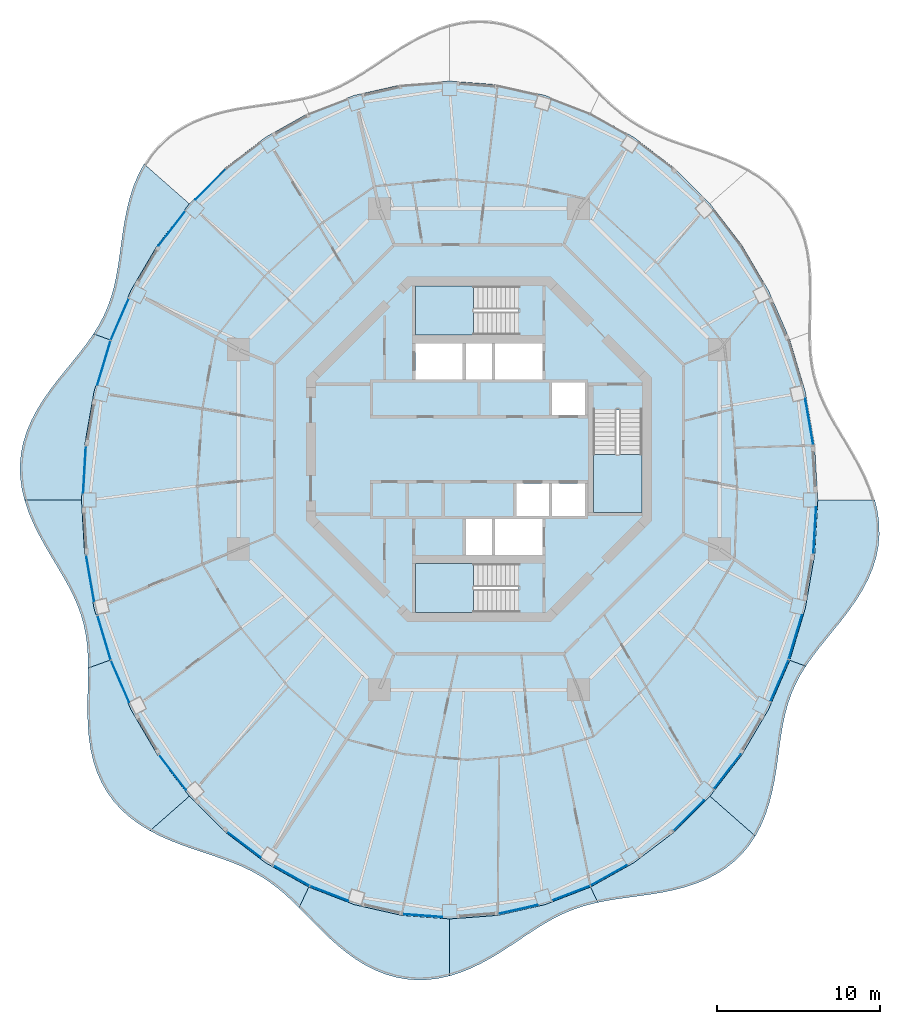
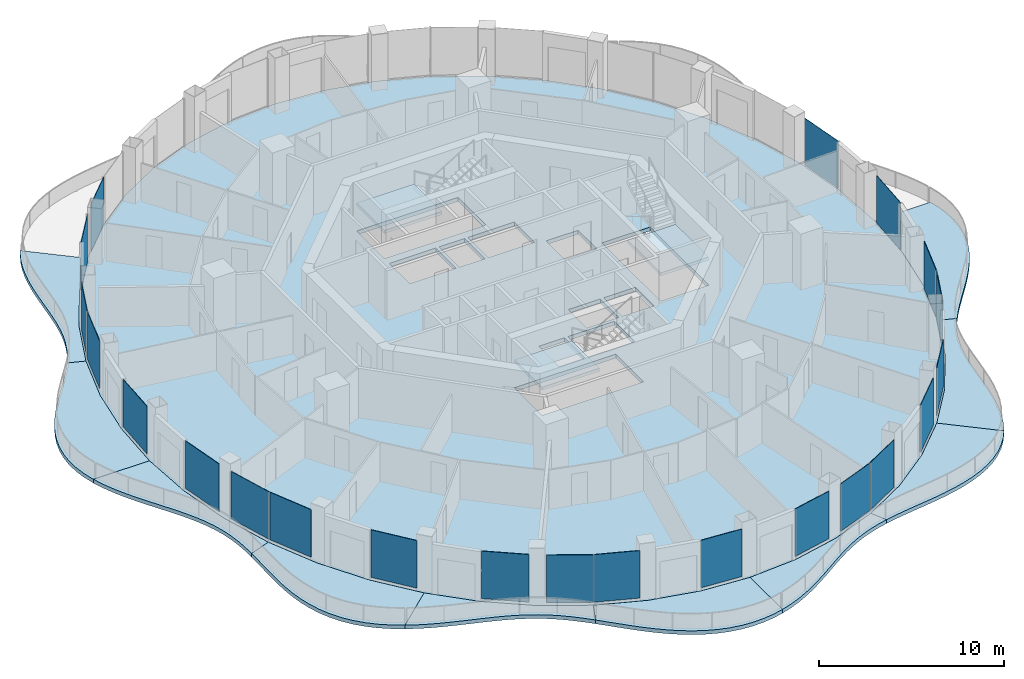
# One storey, part 8 of 17: 22 plates, 14 slabs, 25 elements without a shape of their own.
"""IFC4 building model written with IfcOpenShell, lengths in metres."""

from ifc_helpers import new_model, si_unit, direction, frame, origin, origin_2d, place, context, subcontext, project, spatial, polyline, rectangle, outline, extrude, material, layer, layer_set, type_object, element, aggregate, save


model = new_model("IFC4")

# Units and contexts
model_context = context("Model", 3, precision=1e-05, world=origin(), true_north=direction((0.0, 1.0)))
body_context = subcontext(model_context, "Body", "Model", "MODEL_VIEW")
ifc_project = project(units=[si_unit("LENGTHUNIT", "METRE"), si_unit("AREAUNIT", "SQUARE_METRE"), si_unit("VOLUMEUNIT", "CUBIC_METRE"), si_unit("PLANEANGLEUNIT", "RADIAN"), si_unit("MASSUNIT", "GRAM", prefix="KILO")], contexts=[model_context])

# Site, building, storey
site_placement = place(None, origin())
site = spatial("IfcSite", under=ifc_project, at=site_placement, CompositionType="ELEMENT")
building_placement = place(site_placement, origin())
building = spatial("IfcBuilding", under=site, at=building_placement, Name="Nagisa Residences", CompositionType="ELEMENT")
storey_placement = place(building_placement, frame((0.0, 0.0, 295.5)))
storey = spatial("IfcBuildingStorey", under=building, at=storey_placement, Name="L75", CompositionType="ELEMENT", Elevation=295.5)

# Slabs
ifc_material_1 = material(Name="Concrete C40/50", Category="concrete")
ifc_layer_1 = layer(ifc_material_1, 0.25)
ifc_layer_set_1 = layer_set([ifc_layer_1], Name="BALCONY SLAB 250")
slab_type_1 = type_object("IfcSlabType", Name="BALCONY SLAB 250", PredefinedType="FLOOR", material=ifc_layer_set_1)
slab_1_placement = place(storey_placement, frame((0.0, 0.0, -0.25)))
element("IfcSlab", 1, at=slab_1_placement, inside=storey, type_object=slab_type_1, Name="slab:L75:bal06", PredefinedType="FLOOR", context=body_context, shape_type="SweptSolid", body=[
    extrude(outline(polyline([(-20.5791015625, 17.530029296875), (-20.916015625, 16.898681640625), (-21.1962890625, 16.232421875), (-21.424560546875, 15.5400390625), (-21.607421875, 14.82958984375), (-21.7529296875, 14.110107421875), (-21.870849609375, 13.389404296875), (-21.971923828125, 12.675048828125), (-22.066650390625, 11.973388671875), (-22.166015625, 11.288818359375), (-22.28076171875, 10.625244140625), (-22.419677734375, 9.984619140625), (-22.5908203125, 9.3671875), (-22.800048828125, 8.77197265625), (-23.05126953125, 8.196533203125), (-23.345458984375, 7.637451171875), (-23.681884765625, 7.090576171875), (-22.6982421875, 6.732666015625), (-21.389404296875, 9.752197265625), (-19.74560546875, 12.5517578125), (-17.794677734375, 15.083251953125), (-20.5791015625, 17.530029296875)])), origin(), (0.0, 0.0, 1.0), 0.25),
])
slab_2_placement = place(storey_placement, frame((0.0, 0.0, -0.25)))
element("IfcSlab", 2, at=slab_2_placement, inside=storey, type_object=slab_type_1, Name="slab:L75:bal07", PredefinedType="FLOOR", context=body_context, shape_type="SweptSolid", body=[
    extrude(outline(polyline([(-23.681884765625, 7.090576171875), (-24.0693359375, 6.533935546875), (-24.491455078125, 5.979248046875), (-24.939208984375, 5.42138671875), (-25.402099609375, 4.85498046875), (-25.867919921875, 4.27587890625), (-26.322998046875, 3.680419921875), (-26.75439453125, 3.06640625), (-27.1484375, 2.4326171875), (-27.493408203125, 1.779296875), (-27.778076171875, 1.10791015625), (-27.994140625, 0.420654296875), (-28.135009765625, -0.279052734375), (-28.197265625, -0.987060546875), (-28.179931640625, -1.69921875), (-28.08544921875, -2.410888671875), (-27.9189453125, -3.11767578125), (-24.419921875, -3.11767578125), (-24.2265625, 0.241943359375), (-23.649169921875, 3.544189453125), (-22.6982421875, 6.732666015625), (-23.681884765625, 7.090576171875)])), origin(), (0.0, 0.0, 1.0), 0.25),
])
slab_3_placement = place(storey_placement, frame((0.0, 0.0, -0.25)))
element("IfcSlab", 3, at=slab_3_placement, inside=storey, type_object=slab_type_1, Name="slab:L75:bal08", PredefinedType="FLOOR", context=body_context, shape_type="SweptSolid", body=[
    extrude(outline(polyline([(-27.9189453125, -3.11767578125), (-27.688232421875, -3.816162109375), (-27.40283203125, -4.5029296875), (-27.07470703125, -5.17578125), (-26.716552734375, -5.834228515625), (-26.342529296875, -6.477783203125), (-25.966064453125, -7.108154296875), (-25.599853515625, -7.727294921875), (-25.25634765625, -8.338623046875), (-24.9453125, -8.9462890625), (-24.6748046875, -9.55419921875), (-24.4501953125, -10.16748046875), (-24.27392578125, -10.79052734375), (-24.145751953125, -11.427001953125), (-24.06298828125, -12.080078125), (-24.01904296875, -12.752197265625), (-24.00634765625, -13.444091796875), (-22.6982421875, -12.968017578125), (-23.649169921875, -9.77978515625), (-24.2265625, -6.4775390625), (-24.419921875, -3.11767578125), (-27.9189453125, -3.11767578125)])), origin(), (0.0, 0.0, 1.0), 0.25),
])
slab_4_placement = place(storey_placement, frame((0.0, 0.0, -0.25)))
element("IfcSlab", 4, at=slab_4_placement, inside=storey, type_object=slab_type_1, Name="slab:L75:bal09", PredefinedType="FLOOR", context=body_context, shape_type="SweptSolid", body=[
    extrude(outline(polyline([(-24.00634765625, -13.444091796875), (-24.01416015625, -14.133056640625), (-24.031005859375, -14.83837890625), (-24.045654296875, -15.556640625), (-24.046142578125, -16.28369140625), (-24.021240234375, -17.013916015625), (-23.9599609375, -17.7412109375), (-23.852783203125, -18.45849609375), (-23.691650390625, -19.158447265625), (-23.470947265625, -19.833984375), (-23.186279296875, -20.478515625), (-22.83642578125, -21.085693359375), (-22.422119140625, -21.650634765625), (-21.9462890625, -22.169677734375), (-21.4140625, -22.640869140625), (-20.83251953125, -23.064208984375), (-20.210205078125, -23.441162109375), (-17.794677734375, -21.318603515625), (-19.74560546875, -18.787109375), (-21.389404296875, -15.98779296875), (-22.6982421875, -12.968017578125), (-24.00634765625, -13.444091796875)])), origin(), (0.0, 0.0, 1.0), 0.25),
])
slab_5_placement = place(storey_placement, frame((0.0, 0.0, -0.25)))
element("IfcSlab", 5, at=slab_5_placement, inside=storey, type_object=slab_type_1, Name="slab:L75:bal10", PredefinedType="FLOOR", context=body_context, shape_type="SweptSolid", body=[
    extrude(outline(polyline([(-20.210205078125, -23.441162109375), (-19.58740234375, -23.760498046875), (-18.9443359375, -24.045166015625), (-18.290283203125, -24.30078125), (-17.633056640625, -24.534423828125), (-16.980712890625, -24.753662109375), (-16.340087890625, -24.966552734375), (-15.716552734375, -25.18115234375), (-15.114501953125, -25.4052734375), (-14.5361328125, -25.646728515625), (-13.982666015625, -25.91162109375), (-13.45361328125, -26.205078125), (-12.9462890625, -26.531005859375), (-12.45751953125, -26.890625), (-11.982421875, -27.2841796875), (-11.515869140625, -27.70947265625), (-11.052001953125, -28.162109375), (-10.456298828125, -26.8984375), (-13.110107421875, -25.4091796875), (-15.570068359375, -23.53857421875), (-17.794677734375, -21.318603515625), (-20.210205078125, -23.441162109375)])), origin(), (0.0, 0.0, 1.0), 0.25),
])
slab_6_placement = place(storey_placement, frame((0.0, 0.0, -0.25)))
element("IfcSlab", 6, at=slab_6_placement, inside=storey, type_object=slab_type_1, Name="slab:L75:bal11", PredefinedType="FLOOR", context=body_context, shape_type="SweptSolid", body=[
    extrude(outline(polyline([(-11.052001953125, -28.162109375), (-10.6015625, -28.618896484375), (-10.142333984375, -29.0888671875), (-9.669921875, -29.56396484375), (-9.179931640625, -30.035400390625), (-8.669189453125, -30.4931640625), (-8.135009765625, -30.927734375), (-7.576904296875, -31.3291015625), (-6.994384765625, -31.6884765625), (-6.38916015625, -31.9970703125), (-5.763427734375, -32.248291015625), (-5.1201171875, -32.43603515625), (-4.4638671875, -32.556396484375), (-3.798583984375, -32.60791015625), (-3.1298828125, -32.590087890625), (-2.4619140625, -32.505126953125), (-1.800048828125, -32.356689453125), (-1.800048828125, -28.857666015625), (-4.75244140625, -28.637451171875), (-7.654541015625, -27.980712890625), (-10.456298828125, -26.8984375), (-11.052001953125, -28.162109375)])), origin(), (0.0, 0.0, 1.0), 0.25),
])
slab_7_placement = place(storey_placement, frame((0.0, 0.0, -0.25)))
element("IfcSlab", 7, at=slab_7_placement, inside=storey, type_object=slab_type_1, Name="slab:L75:bal12", PredefinedType="FLOOR", context=body_context, shape_type="SweptSolid", body=[
    extrude(outline(polyline([(-1.800048828125, -32.356689453125), (-1.14794921875, -32.15087890625), (-0.50927734375, -31.89453125), (0.11328125, -31.59619140625), (0.718017578125, -31.265380859375), (1.304931640625, -30.912109375), (1.874267578125, -30.546142578125), (2.427978515625, -30.177734375), (2.96826171875, -29.816162109375), (3.499267578125, -29.469482421875), (4.024658203125, -29.144775390625), (4.548828125, -28.847412109375), (5.076416015625, -28.58154296875), (5.612060546875, -28.348876953125), (6.159423828125, -28.149658203125), (6.7216796875, -27.98193359375), (7.30126953125, -27.842529296875), (6.856201171875, -26.8984375), (4.054443359375, -27.980712890625), (1.152587890625, -28.637451171875), (-1.800048828125, -28.857666015625), (-1.800048828125, -32.356689453125)])), origin(), (0.0, 0.0, 1.0), 0.25),
])
slab_8_placement = place(storey_placement, frame((0.0, 0.0, -0.25)))
element("IfcSlab", 8, at=slab_8_placement, inside=storey, type_object=slab_type_1, Name="slab:L75:bal13", PredefinedType="FLOOR", context=body_context, shape_type="SweptSolid", body=[
    extrude(outline(polyline([(7.30126953125, -27.842529296875), (7.92236328125, -27.72216796875), (8.563720703125, -27.6201171875), (9.2236328125, -27.52783203125), (9.8994140625, -27.4365234375), (10.586669921875, -27.337158203125), (11.27978515625, -27.22021484375), (11.972412109375, -27.077392578125), (12.656982421875, -26.900146484375), (13.32568359375, -26.68212890625), (13.970703125, -26.41796875), (14.58447265625, -26.103515625), (15.159912109375, -25.73681640625), (15.691162109375, -25.317626953125), (16.17333984375, -24.84716796875), (16.603271484375, -24.328369140625), (16.979248046875, -23.765625), (14.19482421875, -21.318603515625), (11.97021484375, -23.53857421875), (9.510009765625, -25.4091796875), (6.856201171875, -26.8984375), (7.30126953125, -27.842529296875)])), origin(), (0.0, 0.0, 1.0), 0.25),
])
slab_9_placement = place(storey_placement, frame((0.0, 0.0, -0.25)))
element("IfcSlab", 9, at=slab_9_placement, inside=storey, type_object=slab_type_1, Name="slab:L75:bal14", PredefinedType="FLOOR", context=body_context, shape_type="SweptSolid", body=[
    extrude(outline(polyline([(16.979248046875, -23.765625), (17.31591796875, -23.134033203125), (17.59619140625, -22.4677734375), (17.824462890625, -21.775390625), (18.00732421875, -21.06494140625), (18.153076171875, -20.345458984375), (18.27099609375, -19.625), (18.371826171875, -18.91064453125), (18.466552734375, -18.208740234375), (18.566162109375, -17.524169921875), (18.6806640625, -16.86083984375), (18.81982421875, -16.219970703125), (18.990966796875, -15.6025390625), (19.2001953125, -15.00732421875), (19.451171875, -14.431884765625), (19.745361328125, -13.872802734375), (20.081787109375, -13.325927734375), (19.09814453125, -12.968017578125), (17.78955078125, -15.98779296875), (16.145751953125, -18.787109375), (14.19482421875, -21.318603515625), (16.979248046875, -23.765625)])), origin(), (0.0, 0.0, 1.0), 0.25),
])
slab_10_placement = place(storey_placement, frame((0.0, 0.0, -0.25)))
element("IfcSlab", 10, at=slab_10_placement, inside=storey, type_object=slab_type_1, Name="slab:L75:bal15", PredefinedType="FLOOR", context=body_context, shape_type="SweptSolid", body=[
    extrude(outline(polyline([(20.081787109375, -13.325927734375), (20.46923828125, -12.769287109375), (20.891357421875, -12.214599609375), (21.33935546875, -11.65673828125), (21.80224609375, -11.09033203125), (22.267822265625, -10.51123046875), (22.722900390625, -9.915771484375), (23.154296875, -9.3017578125), (23.548583984375, -8.66796875), (23.893310546875, -8.0146484375), (24.17822265625, -7.34326171875), (24.39404296875, -6.656005859375), (24.534912109375, -5.956298828125), (24.59716796875, -5.248291015625), (24.579833984375, -4.5361328125), (24.485595703125, -3.824462890625), (24.319091796875, -3.11767578125), (20.820068359375, -3.11767578125), (20.62646484375, -6.4775390625), (20.04931640625, -9.77978515625), (19.09814453125, -12.968017578125), (20.081787109375, -13.325927734375)])), origin(), (0.0, 0.0, 1.0), 0.25),
])

# Curtain wall, plate
ifc_material_2 = material(Name="Concrete-coloured aluminium curtain wall system", Category="concrete")
ifc_layer_2 = layer(ifc_material_2, 0.159912109375)
ifc_layer_set_2 = layer_set([ifc_layer_2], Name="CW1 CURTAIN WALL")
curtain_wall_type = type_object("IfcCurtainWallType", Name="CW1 CURTAIN WALL", PredefinedType="NOTDEFINED", material=ifc_layer_set_2)
curtain_wall_1_placement = place(storey_placement, origin())
curtain_wall_1 = element("IfcCurtainWall", 11, at=curtain_wall_1_placement, inside=storey, type_object=curtain_wall_type, Name="cw:CW1:L75:01", PredefinedType="NOTDEFINED")
ifc_material_3 = material(Name="Clear laminated glass", Category="glass")
ifc_layer_3 = layer(ifc_material_3, 0.028076171875)
ifc_layer_set_3 = layer_set([ifc_layer_3], Name="CW1 GLASS PANEL")
plate_type = type_object("IfcPlateType", Name="CW1 GLASS PANEL", PredefinedType="CURTAIN_PANEL", material=ifc_layer_set_3)
plate_1_placement = place(storey_placement, frame((20.292724609375, 1.687255859375, 0.150146484375), z_axis=(0.0, 0.0, 1.0), x_axis=(-0.172190868898, 0.985063604377, 0.0)))
plate_1 = element("IfcPlate", 12, at=plate_1_placement, type_object=plate_type, Name="CW1 panel", PredefinedType="CURTAIN_PANEL", context=body_context, shape_type="SweptSolid", body=[
    extrude(rectangle(XDim=2.84228515625, YDim=0.028076171875, at=origin_2d()), origin(), (0.0, 0.0, 1.0), 3.1298828125),
])
aggregate(curtain_wall_1, [plate_1])

curtain_wall_2_placement = place(storey_placement, origin())
curtain_wall_2 = element("IfcCurtainWall", 13, at=curtain_wall_2_placement, inside=storey, type_object=curtain_wall_type, Name="cw:CW1:L75:17", PredefinedType="NOTDEFINED")
plate_2_placement = place(storey_placement, frame((-16.488037109375, 16.2744140625, 0.150146484375), z_axis=(0.0, 0.0, 1.0), x_axis=(-0.707835924016, -0.706376885714, 0.0)))
plate_2 = element("IfcPlate", 14, at=plate_2_placement, type_object=plate_type, Name="CW1 panel", PredefinedType="CURTAIN_PANEL", context=body_context, shape_type="SweptSolid", body=[
    extrude(rectangle(XDim=2.6328125, YDim=0.028076171875, at=origin_2d()), origin(), (0.0, 0.0, 1.0), 3.1298828125),
])
aggregate(curtain_wall_2, [plate_2])

curtain_wall_3_placement = place(storey_placement, origin())
curtain_wall_3 = element("IfcCurtainWall", 15, at=curtain_wall_3_placement, inside=storey, type_object=curtain_wall_type, Name="cw:CW1:L75:18", PredefinedType="NOTDEFINED")
plate_3_placement = place(storey_placement, frame((-18.862548828125, 13.566650390625, 0.150146484375), z_axis=(0.0, 0.0, 1.0), x_axis=(-0.610429828235, -0.792070340816, 0.0)))
plate_3 = element("IfcPlate", 16, at=plate_3_placement, type_object=plate_type, Name="CW1 panel", PredefinedType="CURTAIN_PANEL", context=body_context, shape_type="SweptSolid", body=[
    extrude(rectangle(XDim=2.68603515625, YDim=0.028076171875, at=origin_2d()), origin(), (0.0, 0.0, 1.0), 3.1298828125),
])
aggregate(curtain_wall_3, [plate_3])

curtain_wall_4_placement = place(storey_placement, origin())
curtain_wall_4 = element("IfcCurtainWall", 17, at=curtain_wall_4_placement, inside=storey, type_object=curtain_wall_type, Name="cw:CW1:L75:20", PredefinedType="NOTDEFINED")
plate_4_placement = place(storey_placement, frame((-22.07177734375, 7.9765625, 0.150146484375), z_axis=(0.0, 0.0, 1.0), x_axis=(-0.397635934147, -0.917543276295, 0.0)))
plate_4 = element("IfcPlate", 18, at=plate_4_placement, type_object=plate_type, Name="CW1 panel", PredefinedType="CURTAIN_PANEL", context=body_context, shape_type="SweptSolid", body=[
    extrude(rectangle(XDim=2.781005859375, YDim=0.028076171875, at=origin_2d()), origin(), (0.0, 0.0, 1.0), 3.1298828125),
])
aggregate(curtain_wall_4, [plate_4])

curtain_wall_5_placement = place(storey_placement, origin())
curtain_wall_5 = element("IfcCurtainWall", 19, at=curtain_wall_5_placement, inside=storey, type_object=curtain_wall_type, Name="cw:CW1:L75:21", PredefinedType="NOTDEFINED")
plate_5_placement = place(storey_placement, frame((-23.041259765625, 5.302490234375, 0.150146484375), z_axis=(0.0, 0.0, 1.0), x_axis=(-0.285860274038, -0.958271310082, 0.0)))
plate_5 = element("IfcPlate", 20, at=plate_5_placement, type_object=plate_type, Name="CW1 panel", PredefinedType="CURTAIN_PANEL", context=body_context, shape_type="SweptSolid", body=[
    extrude(rectangle(XDim=2.817138671875, YDim=0.028076171875, at=origin_2d()), origin(), (0.0, 0.0, 1.0), 3.1298828125),
])
aggregate(curtain_wall_5, [plate_5])

curtain_wall_6_placement = place(storey_placement, origin())
curtain_wall_6 = element("IfcCurtainWall", 21, at=curtain_wall_6_placement, inside=storey, type_object=curtain_wall_type, Name="cw:CW1:L75:23", PredefinedType="NOTDEFINED")
plate_6_placement = place(storey_placement, frame((-24.232177734375, -1.247802734375, 0.150146484375), z_axis=(0.0, 0.0, 1.0), x_axis=(-0.057503492216, -0.998345305184, 0.0)))
plate_6 = element("IfcPlate", 22, at=plate_6_placement, type_object=plate_type, Name="CW1 panel", PredefinedType="CURTAIN_PANEL", context=body_context, shape_type="SweptSolid", body=[
    extrude(rectangle(XDim=2.855224609375, YDim=0.028076171875, at=origin_2d()), origin(), (0.0, 0.0, 1.0), 3.1298828125),
])
aggregate(curtain_wall_6, [plate_6])

curtain_wall_7_placement = place(storey_placement, origin())
curtain_wall_7 = element("IfcCurtainWall", 23, at=curtain_wall_7_placement, inside=storey, type_object=curtain_wall_type, Name="cw:CW1:L75:25", PredefinedType="NOTDEFINED")
plate_7_placement = place(storey_placement, frame((-23.892578125, -7.922607421875, 0.150146484375), z_axis=(0.0, 0.0, 1.0), x_axis=(0.172190868898, -0.985063604377, 0.0)))
plate_7 = element("IfcPlate", 24, at=plate_7_placement, type_object=plate_type, Name="CW1 panel", PredefinedType="CURTAIN_PANEL", context=body_context, shape_type="SweptSolid", body=[
    extrude(rectangle(XDim=2.84228515625, YDim=0.028076171875, at=origin_2d()), origin(), (0.0, 0.0, 1.0), 3.1298828125),
])
aggregate(curtain_wall_7, [plate_7])

curtain_wall_8_placement = place(storey_placement, origin())
curtain_wall_8 = element("IfcCurtainWall", 25, at=curtain_wall_8_placement, inside=storey, type_object=curtain_wall_type, Name="cw:CW1:L75:26", PredefinedType="NOTDEFINED")
plate_8_placement = place(storey_placement, frame((-23.024169921875, -11.59521484375, 0.150146484375), z_axis=(0.0, 0.0, 1.0), x_axis=(0.285860274038, -0.958271310082, 0.0)))
plate_8 = element("IfcPlate", 26, at=plate_8_placement, type_object=plate_type, Name="CW1 panel", PredefinedType="CURTAIN_PANEL", context=body_context, shape_type="SweptSolid", body=[
    extrude(rectangle(XDim=2.817138671875, YDim=0.028076171875, at=origin_2d()), origin(), (0.0, 0.0, 1.0), 3.1298828125),
])
aggregate(curtain_wall_8, [plate_8])

curtain_wall_9_placement = place(storey_placement, origin())
curtain_wall_9 = element("IfcCurtainWall", 27, at=curtain_wall_9_placement, inside=storey, type_object=curtain_wall_type, Name="cw:CW1:L75:27", PredefinedType="NOTDEFINED")
plate_9_placement = place(storey_placement, frame((-22.0478515625, -14.26708984375, 0.150146484375), z_axis=(0.0, 0.0, 1.0), x_axis=(0.397635934147, -0.917543276295, 0.0)))
plate_9 = element("IfcPlate", 28, at=plate_9_placement, type_object=plate_type, Name="CW1 panel", PredefinedType="CURTAIN_PANEL", context=body_context, shape_type="SweptSolid", body=[
    extrude(rectangle(XDim=2.781005859375, YDim=0.028076171875, at=origin_2d()), origin(), (0.0, 0.0, 1.0), 3.1298828125),
])
aggregate(curtain_wall_9, [plate_9])

curtain_wall_10_placement = place(storey_placement, origin())
curtain_wall_10 = element("IfcCurtainWall", 29, at=curtain_wall_10_placement, inside=storey, type_object=curtain_wall_type, Name="cw:CW1:L75:29", PredefinedType="NOTDEFINED")
plate_10_placement = place(storey_placement, frame((-18.825927734375, -19.849609375, 0.150146484375), z_axis=(0.0, 0.0, 1.0), x_axis=(0.610429828235, -0.792070340816, 0.0)))
plate_10 = element("IfcPlate", 30, at=plate_10_placement, type_object=plate_type, Name="CW1 panel", PredefinedType="CURTAIN_PANEL", context=body_context, shape_type="SweptSolid", body=[
    extrude(rectangle(XDim=2.68603515625, YDim=0.028076171875, at=origin_2d()), origin(), (0.0, 0.0, 1.0), 3.1298828125),
])
aggregate(curtain_wall_10, [plate_10])

curtain_wall_11_placement = place(storey_placement, origin())
curtain_wall_11 = element("IfcCurtainWall", 31, at=curtain_wall_11_placement, inside=storey, type_object=curtain_wall_type, Name="cw:CW1:L75:31", PredefinedType="NOTDEFINED")
plate_11_placement = place(storey_placement, frame((-14.44677734375, -24.292236328125, 0.150146484375), z_axis=(0.0, 0.0, 1.0), x_axis=(0.79603132756, -0.605255421737, 0.0)))
plate_11 = element("IfcPlate", 32, at=plate_11_placement, type_object=plate_type, Name="CW1 panel", PredefinedType="CURTAIN_PANEL", context=body_context, shape_type="SweptSolid", body=[
    extrude(rectangle(XDim=2.58056640625, YDim=0.028076171875, at=origin_2d()), origin(), (0.0, 0.0, 1.0), 3.1298828125),
])
aggregate(curtain_wall_11, [plate_11])

curtain_wall_12_placement = place(storey_placement, origin())
curtain_wall_12 = element("IfcCurtainWall", 33, at=curtain_wall_12_placement, inside=storey, type_object=curtain_wall_type, Name="cw:CW1:L75:32", PredefinedType="NOTDEFINED")
plate_12_placement = place(storey_placement, frame((-11.521728515625, -26.208740234375, 0.150146484375), z_axis=(0.0, 0.0, 1.0), x_axis=(0.872072377523, -0.489376918501, 0.0)))
plate_12 = element("IfcPlate", 34, at=plate_12_placement, type_object=plate_type, Name="CW1 panel", PredefinedType="CURTAIN_PANEL", context=body_context, shape_type="SweptSolid", body=[
    extrude(rectangle(XDim=2.532958984375, YDim=0.028076171875, at=origin_2d()), origin(), (0.0, 0.0, 1.0), 3.1298828125),
])
aggregate(curtain_wall_12, [plate_12])

curtain_wall_13_placement = place(storey_placement, origin())
curtain_wall_13 = element("IfcCurtainWall", 35, at=curtain_wall_13_placement, inside=storey, type_object=curtain_wall_type, Name="cw:CW1:L75:33", PredefinedType="NOTDEFINED")
plate_13_placement = place(storey_placement, frame((-9.20849609375, -27.294677734375, 0.150146484375), z_axis=(0.0, 0.0, 1.0), x_axis=(0.932825759707, -0.360327770268, 0.0)))
plate_13 = element("IfcPlate", 36, at=plate_13_placement, type_object=plate_type, Name="CW1 panel", PredefinedType="CURTAIN_PANEL", context=body_context, shape_type="SweptSolid", body=[
    extrude(rectangle(XDim=2.49365234375, YDim=0.028076171875, at=origin_2d()), origin(), (0.0, 0.0, 1.0), 3.1298828125),
])
aggregate(curtain_wall_13, [plate_13])

curtain_wall_14_placement = place(storey_placement, origin())
curtain_wall_14 = element("IfcCurtainWall", 37, at=curtain_wall_14_placement, inside=storey, type_object=curtain_wall_type, Name="cw:CW1:L75:35", PredefinedType="NOTDEFINED")
plate_14_placement = place(storey_placement, frame((-3.46484375, -28.6533203125, 0.150146484375), z_axis=(0.0, 0.0, 1.0), x_axis=(0.997230168512, -0.074377355493, 0.0)))
plate_14 = element("IfcPlate", 38, at=plate_14_placement, type_object=plate_type, Name="CW1 panel", PredefinedType="CURTAIN_PANEL", context=body_context, shape_type="SweptSolid", body=[
    extrude(rectangle(XDim=2.45068359375, YDim=0.028076171875, at=origin_2d()), origin(), (0.0, 0.0, 1.0), 3.1298828125),
])
aggregate(curtain_wall_14, [plate_14])

curtain_wall_15_placement = place(storey_placement, origin())
curtain_wall_15 = element("IfcCurtainWall", 39, at=curtain_wall_15_placement, inside=storey, type_object=curtain_wall_type, Name="cw:CW1:L75:37", PredefinedType="NOTDEFINED")
plate_15_placement = place(storey_placement, frame((2.395751953125, -28.274169921875, 0.150146484375), z_axis=(0.0, 0.0, 1.0), x_axis=(0.975327274089, 0.2207639201, 0.0)))
plate_15 = element("IfcPlate", 40, at=plate_15_placement, type_object=plate_type, Name="CW1 panel", PredefinedType="CURTAIN_PANEL", context=body_context, shape_type="SweptSolid", body=[
    extrude(rectangle(XDim=2.46533203125, YDim=0.028076171875, at=origin_2d()), origin(), (0.0, 0.0, 1.0), 3.1298828125),
])
aggregate(curtain_wall_15, [plate_15])

curtain_wall_16_placement = place(storey_placement, origin())
curtain_wall_16 = element("IfcCurtainWall", 41, at=curtain_wall_16_placement, inside=storey, type_object=curtain_wall_type, Name="cw:CW1:L75:38", PredefinedType="NOTDEFINED")
plate_16_placement = place(storey_placement, frame((5.66455078125, -27.27294921875, 0.150146484375), z_axis=(0.0, 0.0, 1.0), x_axis=(0.932825759707, 0.360327770268, 0.0)))
plate_16 = element("IfcPlate", 42, at=plate_16_placement, type_object=plate_type, Name="CW1 panel", PredefinedType="CURTAIN_PANEL", context=body_context, shape_type="SweptSolid", body=[
    extrude(rectangle(XDim=2.49365234375, YDim=0.028076171875, at=origin_2d()), origin(), (0.0, 0.0, 1.0), 3.1298828125),
])
aggregate(curtain_wall_16, [plate_16])

curtain_wall_17_placement = place(storey_placement, origin())
curtain_wall_17 = element("IfcCurtainWall", 43, at=curtain_wall_17_placement, inside=storey, type_object=curtain_wall_type, Name="cw:CW1:L75:39", PredefinedType="NOTDEFINED")
plate_17_placement = place(storey_placement, frame((7.973876953125, -26.179443359375, 0.150146484375), z_axis=(0.0, 0.0, 1.0), x_axis=(0.872072377523, 0.489376918501, 0.0)))
plate_17 = element("IfcPlate", 44, at=plate_17_placement, type_object=plate_type, Name="CW1 panel", PredefinedType="CURTAIN_PANEL", context=body_context, shape_type="SweptSolid", body=[
    extrude(rectangle(XDim=2.532958984375, YDim=0.028076171875, at=origin_2d()), origin(), (0.0, 0.0, 1.0), 3.1298828125),
])
aggregate(curtain_wall_17, [plate_17])

curtain_wall_18_placement = place(storey_placement, origin())
curtain_wall_18 = element("IfcCurtainWall", 45, at=curtain_wall_18_placement, inside=storey, type_object=curtain_wall_type, Name="cw:CW1:L75:41", PredefinedType="NOTDEFINED")
plate_18_placement = place(storey_placement, frame((12.887939453125, -22.509765625, 0.150146484375), z_axis=(0.0, 0.0, 1.0), x_axis=(0.707835924016, 0.706376885714, 0.0)))
plate_18 = element("IfcPlate", 46, at=plate_18_placement, type_object=plate_type, Name="CW1 panel", PredefinedType="CURTAIN_PANEL", context=body_context, shape_type="SweptSolid", body=[
    extrude(rectangle(XDim=2.6328125, YDim=0.028076171875, at=origin_2d()), origin(), (0.0, 0.0, 1.0), 3.1298828125),
])
aggregate(curtain_wall_18, [plate_18])

curtain_wall_19_placement = place(storey_placement, origin())
curtain_wall_19 = element("IfcCurtainWall", 47, at=curtain_wall_19_placement, inside=storey, type_object=curtain_wall_type, Name="cw:CW1:L75:42", PredefinedType="NOTDEFINED")
plate_19_placement = place(storey_placement, frame((15.262451171875, -19.802001953125, 0.150146484375), z_axis=(0.0, 0.0, 1.0), x_axis=(0.610429828235, 0.792070340816, 0.0)))
plate_19 = element("IfcPlate", 48, at=plate_19_placement, type_object=plate_type, Name="CW1 panel", PredefinedType="CURTAIN_PANEL", context=body_context, shape_type="SweptSolid", body=[
    extrude(rectangle(XDim=2.68603515625, YDim=0.028076171875, at=origin_2d()), origin(), (0.0, 0.0, 1.0), 3.1298828125),
])
aggregate(curtain_wall_19, [plate_19])

curtain_wall_20_placement = place(storey_placement, origin())
curtain_wall_20 = element("IfcCurtainWall", 49, at=curtain_wall_20_placement, inside=storey, type_object=curtain_wall_type, Name="cw:CW1:L75:44", PredefinedType="NOTDEFINED")
plate_20_placement = place(storey_placement, frame((18.471923828125, -14.212158203125, 0.150146484375), z_axis=(0.0, 0.0, 1.0), x_axis=(0.397635934147, 0.917543276295, 0.0)))
plate_20 = element("IfcPlate", 50, at=plate_20_placement, type_object=plate_type, Name="CW1 panel", PredefinedType="CURTAIN_PANEL", context=body_context, shape_type="SweptSolid", body=[
    extrude(rectangle(XDim=2.781005859375, YDim=0.028076171875, at=origin_2d()), origin(), (0.0, 0.0, 1.0), 3.1298828125),
])
aggregate(curtain_wall_20, [plate_20])

curtain_wall_21_placement = place(storey_placement, origin())
curtain_wall_21 = element("IfcCurtainWall", 51, at=curtain_wall_21_placement, inside=storey, type_object=curtain_wall_type, Name="cw:CW1:L75:45", PredefinedType="NOTDEFINED")
plate_21_placement = place(storey_placement, frame((19.44140625, -11.537841796875, 0.150146484375), z_axis=(0.0, 0.0, 1.0), x_axis=(0.285860274038, 0.958271310082, 0.0)))
plate_21 = element("IfcPlate", 52, at=plate_21_placement, type_object=plate_type, Name="CW1 panel", PredefinedType="CURTAIN_PANEL", context=body_context, shape_type="SweptSolid", body=[
    extrude(rectangle(XDim=2.817138671875, YDim=0.028076171875, at=origin_2d()), origin(), (0.0, 0.0, 1.0), 3.1298828125),
])
aggregate(curtain_wall_21, [plate_21])

curtain_wall_22_placement = place(storey_placement, origin())
curtain_wall_22 = element("IfcCurtainWall", 53, at=curtain_wall_22_placement, inside=storey, type_object=curtain_wall_type, Name="cw:CW1:L75:47", PredefinedType="NOTDEFINED")
plate_22_placement = place(storey_placement, frame((20.632080078125, -4.987548828125, 0.150146484375), z_axis=(0.0, 0.0, 1.0), x_axis=(0.057503492216, 0.998345305184, 0.0)))
plate_22 = element("IfcPlate", 54, at=plate_22_placement, type_object=plate_type, Name="CW1 panel", PredefinedType="CURTAIN_PANEL", context=body_context, shape_type="SweptSolid", body=[
    extrude(rectangle(XDim=2.855224609375, YDim=0.028076171875, at=origin_2d()), origin(), (0.0, 0.0, 1.0), 3.1298828125),
])
aggregate(curtain_wall_22, [plate_22])

# Slab
ifc_material_4 = material(Name="Concrete C40", Category="concrete")
ifc_layer_4 = layer(ifc_material_4, 0.260009765625)
ifc_layer_set_4 = layer_set([ifc_layer_4], Name="Floor slab 260")
slab_type_2 = type_object("IfcSlabType", Name="Floor slab 260", PredefinedType="FLOOR", material=ifc_layer_set_4)
slab_11_placement = place(storey_placement, frame((0.0, 0.0, -0.260009765625)))
element("IfcSlab", 55, at=slab_11_placement, inside=storey, type_object=slab_type_2, Name="slab:L75:floor", PredefinedType="FLOOR", context=body_context, shape_type="SweptSolid", body=[
    extrude(outline(polyline([(20.820068359375, -3.11767578125), (20.62646484375, 0.241943359375), (20.04931640625, 3.544189453125), (19.09814453125, 6.732666015625), (17.78955078125, 9.752197265625), (16.145751953125, 12.5517578125), (14.19482421875, 15.083251953125), (11.97021484375, 17.30322265625), (9.510009765625, 19.173828125), (6.856201171875, 20.6630859375), (4.054443359375, 21.745361328125), (1.152587890625, 22.402099609375), (-1.800048828125, 22.622314453125), (-4.75244140625, 22.402099609375), (-7.654541015625, 21.745361328125), (-10.456298828125, 20.6630859375), (-13.110107421875, 19.173828125), (-15.570068359375, 17.30322265625), (-17.794677734375, 15.083251953125), (-19.74560546875, 12.5517578125), (-21.389404296875, 9.752197265625), (-22.6982421875, 6.732666015625), (-23.649169921875, 3.544189453125), (-24.2265625, 0.241943359375), (-24.419921875, -3.11767578125), (-24.2265625, -6.4775390625), (-23.649169921875, -9.77978515625), (-22.6982421875, -12.968017578125), (-21.389404296875, -15.98779296875), (-19.74560546875, -18.787109375), (-17.794677734375, -21.318603515625), (-15.570068359375, -23.53857421875), (-13.110107421875, -25.4091796875), (-10.456298828125, -26.8984375), (-7.654541015625, -27.980712890625), (-4.75244140625, -28.637451171875), (-1.800048828125, -28.857666015625), (1.152587890625, -28.637451171875), (4.054443359375, -27.980712890625), (6.856201171875, -26.8984375), (9.510009765625, -25.4091796875), (11.97021484375, -23.53857421875), (14.19482421875, -21.318603515625), (16.145751953125, -18.787109375), (17.78955078125, -15.98779296875), (19.09814453125, -12.968017578125), (20.04931640625, -9.77978515625), (20.62646484375, -6.4775390625), (20.820068359375, -3.11767578125)]), holes=[polyline([(6.5, 2.10009765625), (6.5, 4.10009765625), (4.5, 4.10009765625), (4.5, 2.10009765625), (6.5, 2.10009765625)]), polyline([(4.300048828125, -4.10009765625), (4.300048828125, -2.10009765625), (2.300048828125, -2.10009765625), (2.300048828125, -4.10009765625), (4.300048828125, -4.10009765625)]), polyline([(6.5, -4.10009765625), (6.5, -2.10009765625), (4.5, -2.10009765625), (4.5, -4.10009765625), (6.5, -4.10009765625)]), polyline([(3.89990234375, 4.300048828125), (3.89990234375, 6.5), (1.0, 6.5), (1.0, 4.300048828125), (3.89990234375, 4.300048828125)]), polyline([(3.89990234375, -6.5), (3.89990234375, -4.300048828125), (1.0, -4.300048828125), (1.0, -6.5), (3.89990234375, -6.5)]), polyline([(-1.0, 4.300048828125), (-1.0, 6.5), (-3.89990234375, 6.5), (-3.89990234375, 4.300048828125), (-1.0, 4.300048828125)]), polyline([(0.800048828125, 4.300048828125), (0.800048828125, 6.5), (-0.800048828125, 6.5), (-0.800048828125, 4.300048828125), (0.800048828125, 4.300048828125)]), polyline([(0.800048828125, -6.5), (0.800048828125, -4.300048828125), (-0.800048828125, -4.300048828125), (-0.800048828125, -6.5), (0.800048828125, -6.5)]), polyline([(10.024658203125, -3.89990234375), (7.024658203125, -3.89990234375), (7.024658203125, 2.425048828125), (10.024658203125, 2.425048828125), (10.024658203125, -3.89990234375)]), polyline([(-3.89990234375, 7.024658203125), (-3.89990234375, 10.024658203125), (2.425048828125, 10.024658203125), (2.425048828125, 7.024658203125), (-3.89990234375, 7.024658203125)]), polyline([(-3.89990234375, -10.024658203125), (-3.89990234375, -7.024658203125), (2.425048828125, -7.024658203125), (2.425048828125, -10.024658203125), (-3.89990234375, -10.024658203125)])]), origin(), (0.0, 0.0, 1.0), 0.260009765625),
])

# Stair, slab
ifc_material_5 = material(Name="Concrete C60", Category="concrete")
stair_type = type_object("IfcStairType", Name="Exit stair", PredefinedType="HALF_TURN_STAIR", material=ifc_material_5)
stair_1_placement = place(storey_placement, origin())
stair_1 = element("IfcStair", 56, at=stair_1_placement, inside=storey, type_object=stair_type, Name="L75 Exit stair E", PredefinedType="HALF_TURN_STAIR")
ifc_material_6 = material(Name="Concrete C60", Category="concrete")
ifc_layer_5 = layer(ifc_material_6, 0.199951171875)
ifc_layer_set_5 = layer_set([ifc_layer_5], Name="Stair landing")
slab_type_3 = type_object("IfcSlabType", Name="Stair landing", PredefinedType="LANDING", material=ifc_layer_set_5)
slab_12_placement = place(storey_placement, frame((0.0, 0.0, 1.64990234375)))
slab_12 = element("IfcSlab", 57, at=slab_12_placement, type_object=slab_type_3, Name="ST-E landing 1", PredefinedType="LANDING", context=body_context, shape_type="SweptSolid", body=[
    extrude(outline(polyline([(7.024658203125, -0.324951171875), (7.024658203125, -3.89990234375), (10.024658203125, -3.89990234375), (10.024658203125, -0.324951171875), (7.024658203125, -0.324951171875)])), origin(), (0.0, 0.0, 1.0), 0.2001953125),
])
aggregate(stair_1, [slab_12])

stair_2_placement = place(storey_placement, origin())
stair_2 = element("IfcStair", 58, at=stair_2_placement, inside=storey, type_object=stair_type, Name="L75 Exit stair N", PredefinedType="HALF_TURN_STAIR")
slab_13_placement = place(storey_placement, frame((0.0, 0.0, 1.64990234375)))
slab_13 = element("IfcSlab", 59, at=slab_13_placement, type_object=slab_type_3, Name="ST-N landing 1", PredefinedType="LANDING", context=body_context, shape_type="SweptSolid", body=[
    extrude(outline(polyline([(-0.324951171875, 10.024658203125), (-3.89990234375, 10.024658203125), (-3.89990234375, 7.024658203125), (-0.324951171875, 7.024658203125), (-0.324951171875, 10.024658203125)])), origin(), (0.0, 0.0, 1.0), 0.2001953125),
])
aggregate(stair_2, [slab_13])

stair_3_placement = place(storey_placement, origin())
stair_3 = element("IfcStair", 60, at=stair_3_placement, inside=storey, type_object=stair_type, Name="L75 Exit stair S", PredefinedType="HALF_TURN_STAIR")
slab_14_placement = place(storey_placement, frame((0.0, 0.0, 1.64990234375)))
slab_14 = element("IfcSlab", 61, at=slab_14_placement, type_object=slab_type_3, Name="ST-S landing 1", PredefinedType="LANDING", context=body_context, shape_type="SweptSolid", body=[
    extrude(outline(polyline([(-0.324951171875, -7.024658203125), (-3.89990234375, -7.024658203125), (-3.89990234375, -10.024658203125), (-0.324951171875, -10.024658203125), (-0.324951171875, -7.024658203125)])), origin(), (0.0, 0.0, 1.0), 0.2001953125),
])
aggregate(stair_3, [slab_14])

save(model, "model.ifc")
